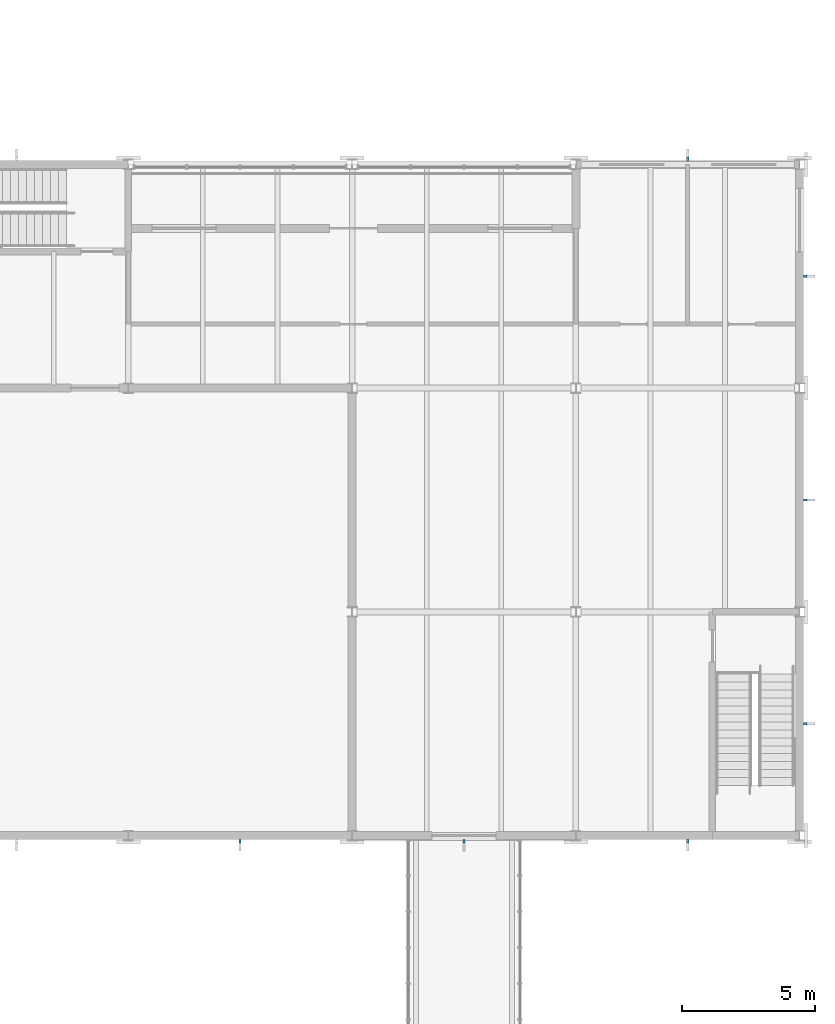
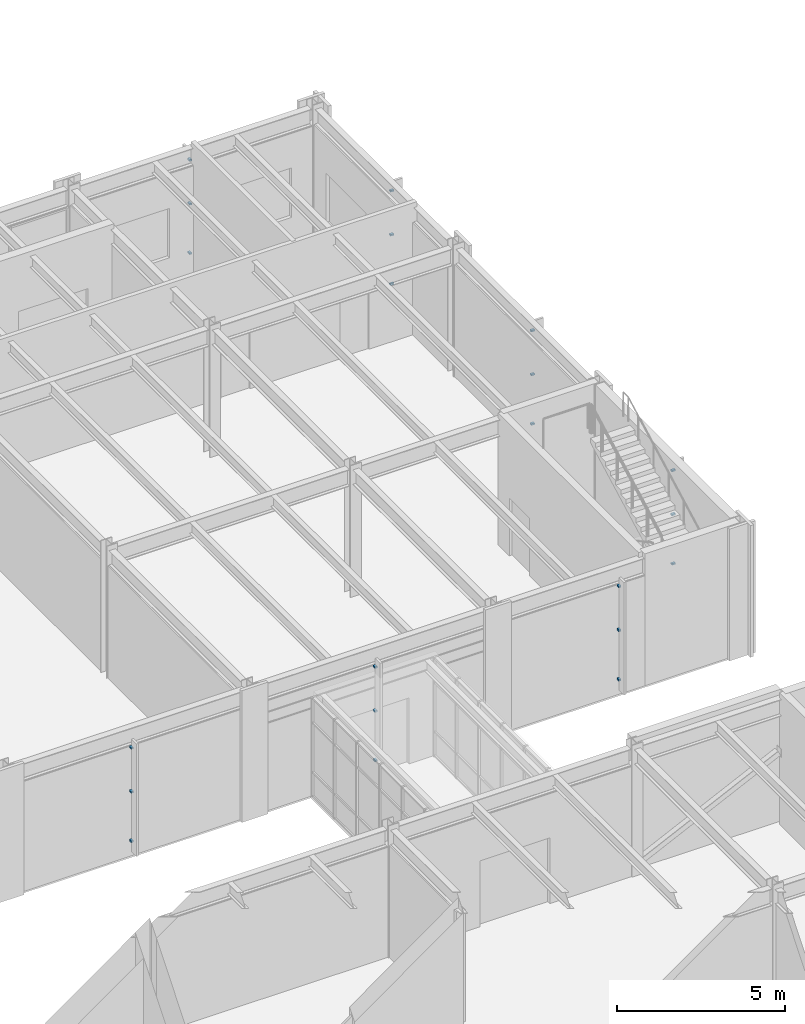
# One storey, part 105 of 127: 21 discrete accessories.
"""IFC4 building model written with IfcOpenShell, lengths in metres."""

from ifc_helpers import new_model, si_unit, direction, frame, origin, origin_2d, place, context, subcontext, project, spatial, rectangle, extrude, material, type_object, element, save


model = new_model("IFC4")

# Units and contexts
model_context = context("Model", 3, precision=1e-05, world=origin(), true_north=direction((0.0, 1.0)))
body_context = subcontext(model_context, "Body", "Model", "MODEL_VIEW")
ifc_project = project(units=[si_unit("LENGTHUNIT", "METRE"), si_unit("AREAUNIT", "SQUARE_METRE"), si_unit("VOLUMEUNIT", "CUBIC_METRE"), si_unit("PLANEANGLEUNIT", "RADIAN"), si_unit("MASSUNIT", "GRAM", prefix="KILO")], contexts=[model_context])

# Site, building, storey
site_placement = place(None, origin())
site = spatial("IfcSite", under=ifc_project, at=site_placement, CompositionType="ELEMENT")
building_placement = place(site_placement, origin())
building = spatial("IfcBuilding", under=site, at=building_placement, Name="Ljudholm Concert House", CompositionType="ELEMENT")
storey_placement = place(building_placement, frame((0.0, 0.0, 5.39990234375)))
storey = spatial("IfcBuildingStorey", under=building, at=storey_placement, Name="L01", CompositionType="ELEMENT", Elevation=5.39990234375)

# Discrete accessories
ifc_material = material(Name="Stainless steel bracket", Category="steel")
discrete_accessory_type = type_object("IfcDiscreteAccessoryType", Name="BRACKET 120", PredefinedType="BRACKET", material=ifc_material)
for number, where, z_axis, x_axis, name in (
    (1, (121.81005859375, 109.0, 0.570068359375), (0.0, 0.0, 1.0), (1.0, 0.0, 0.0), "Fin bracket"),
    (2, (121.81005859375, 109.0, 2.3701171875), (0.0, 0.0, 1.0), (1.0, 0.0, 0.0), "Fin bracket"),
    (3, (121.81005859375, 109.0, 3.969970703125), (0.0, 0.0, 1.0), (1.0, 0.0, 0.0), "Fin bracket"),
    (4, (121.81005859375, 117.39990234375, 0.570068359375), (0.0, 0.0, 1.0), (1.0, 0.0, 0.0), "Fin bracket"),
    (5, (121.81005859375, 117.39990234375, 2.3701171875), (0.0, 0.0, 1.0), (1.0, 0.0, 0.0), "Fin bracket"),
    (6, (121.81005859375, 117.39990234375, 3.969970703125), (0.0, 0.0, 1.0), (1.0, 0.0, 0.0), "Fin bracket"),
    (7, (121.81005859375, 125.800048828125, 0.570068359375), (0.0, 0.0, 1.0), (1.0, 0.0, 0.0), "Fin bracket"),
    (8, (121.81005859375, 125.800048828125, 2.3701171875), (0.0, 0.0, 1.0), (1.0, 0.0, 0.0), "Fin bracket"),
    (9, (121.81005859375, 125.800048828125, 3.969970703125), (0.0, 0.0, 1.0), (1.0, 0.0, 0.0), "Fin bracket"),
    (10, (117.39990234375, 130.2099609375, 0.570068359375), (0.0, 0.0, 1.0), (0.0, 1.0, 0.0), "Fin bracket"),
    (11, (117.39990234375, 130.2099609375, 2.3701171875), (0.0, 0.0, 1.0), (0.0, 1.0, 0.0), "Fin bracket"),
    (12, (117.39990234375, 130.2099609375, 3.969970703125), (0.0, 0.0, 1.0), (0.0, 1.0, 0.0), "Fin bracket"),
    (13, (100.60009765625, 104.590087890625, 0.570068359375), (0.0, 0.0, 1.0), (0.0, -1.0, 0.0), "Fin bracket"),
    (14, (100.60009765625, 104.590087890625, 2.3701171875), (0.0, 0.0, 1.0), (0.0, -1.0, 0.0), "Fin bracket"),
    (15, (100.60009765625, 104.590087890625, 3.969970703125), (0.0, 0.0, 1.0), (0.0, -1.0, 0.0), "Fin bracket"),
    (16, (109.0, 104.590087890625, 0.570068359375), (0.0, 0.0, 1.0), (0.0, -1.0, 0.0), "Fin bracket"),
    (17, (109.0, 104.590087890625, 2.3701171875), (0.0, 0.0, 1.0), (0.0, -1.0, 0.0), "Fin bracket"),
    (18, (109.0, 104.590087890625, 3.969970703125), (0.0, 0.0, 1.0), (0.0, -1.0, 0.0), "Fin bracket"),
    (19, (117.39990234375, 104.590087890625, 0.570068359375), (0.0, 0.0, 1.0), (0.0, -1.0, 0.0), "Fin bracket"),
    (20, (117.39990234375, 104.590087890625, 2.3701171875), (0.0, 0.0, 1.0), (0.0, -1.0, 0.0), "Fin bracket"),
    (21, (117.39990234375, 104.590087890625, 3.969970703125), (0.0, 0.0, 1.0), (0.0, -1.0, 0.0), "Fin bracket"),
):
    element("IfcDiscreteAccessory", number, at=place(storey_placement, frame(where, z_axis=z_axis, x_axis=x_axis)), inside=storey, type_object=discrete_accessory_type, Name=name, PredefinedType="BRACKET", context=body_context, shape_type="SweptSolid", body=[
        extrude(rectangle(XDim=0.1201171875, YDim=0.080078125, at=origin_2d()), origin(), (0.0, 0.0, 1.0), 0.06005859375),
    ])

save(model, "model.ifc")
